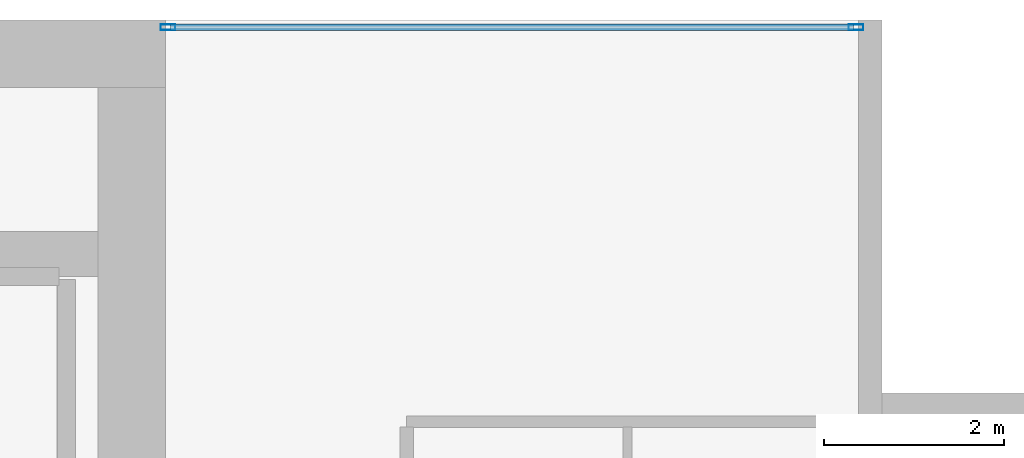
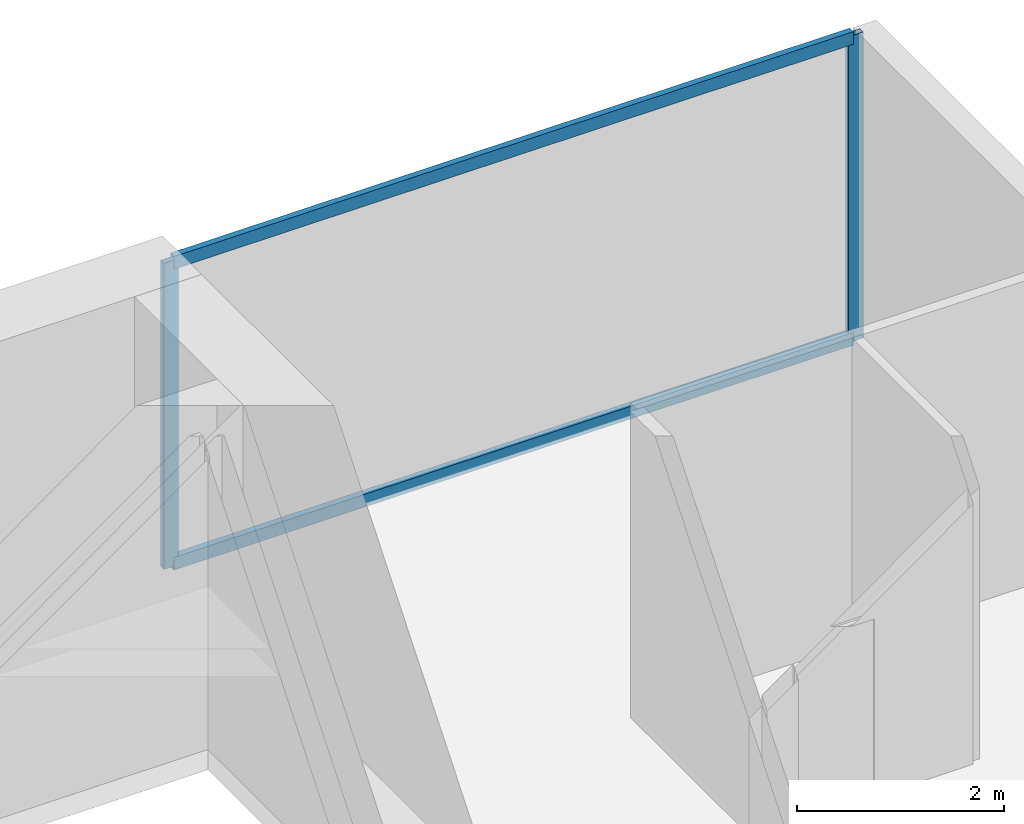
# One storey, part 25 of 32: 4 members, 1 element without a shape of its own.
"""IFC4 building model written with IfcOpenShell, lengths in metres."""

from ifc_helpers import new_model, si_unit, direction, frame, origin, origin_2d, place, context, subcontext, project, spatial, hollow_rectangle, extrude, material, layer, layer_set, material_profile, profile_set, type_object, element, aggregate, save


model = new_model("IFC4")

# Units and contexts
model_context = context("Model", 3, precision=1e-05, world=origin(), true_north=direction((0.0, 1.0)))
body_context = subcontext(model_context, "Body", "Model", "MODEL_VIEW")
ifc_project = project(units=[si_unit("LENGTHUNIT", "METRE"), si_unit("AREAUNIT", "SQUARE_METRE"), si_unit("VOLUMEUNIT", "CUBIC_METRE"), si_unit("PLANEANGLEUNIT", "RADIAN"), si_unit("MASSUNIT", "GRAM", prefix="KILO")], contexts=[model_context])

# Site, building, storey
site_placement = place(None, origin())
site = spatial("IfcSite", under=ifc_project, at=site_placement, CompositionType="ELEMENT")
building_placement = place(site_placement, origin())
building = spatial("IfcBuilding", under=site, at=building_placement, Name="Maruvema Waterfront Hotel and Observation Tower", CompositionType="ELEMENT")
storey_placement = place(building_placement, frame((0.0, 0.0, 162.050048828125)))
storey = spatial("IfcBuildingStorey", under=building, at=storey_placement, Name="L39", CompositionType="ELEMENT", Elevation=162.050048828125)

# Curtain wall, members
ifc_material_1 = material(Name="Anodised bronze aluminium and solar-control low-E IGU", Category="aluminium")
ifc_layer = layer(ifc_material_1, 0.159912109375, Name="Zone 2 Amber Inner Thermal Curtain Wall System CW-03")
ifc_layer_set = layer_set([ifc_layer], Name="Anodised bronze aluminium and solar-control low-E IGU")
curtain_wall_type = type_object("IfcCurtainWallType", Name="Zone 2 Amber Inner Thermal Curtain Wall System CW-03", PredefinedType="USERDEFINED", material=ifc_layer_set)
curtain_wall_placement = place(storey_placement, origin())
curtain_wall = element("IfcCurtainWall", 1, at=curtain_wall_placement, inside=storey, type_object=curtain_wall_type, Name="L39 Curtain Wall CW-L39-NE", ObjectType="UNITISED CURTAIN WALL", PredefinedType="USERDEFINED")
ifc_material_2 = material(Name="Anodised architectural bronze aluminium", Category="aluminium")
ifc_material_profile_1 = material_profile(ifc_material_2, hollow_rectangle(XDim=0.070068359375, YDim=0.14990234375, WallThickness=0.00390625, at=origin_2d()), Name="ALU-T70x150")
ifc_profile_set_1 = profile_set([ifc_material_profile_1], Name="Anodised architectural bronze aluminium")
member_type_1 = type_object("IfcMemberType", Name="Curtain Wall Horizontal Transom ALU-T70x150", PredefinedType="USERDEFINED", material=ifc_profile_set_1)
member_1_placement = place(storey_placement, frame((58.0400390625, 53.919921875, 0.030029296875), z_axis=(-1.0, 0.0, 0.0), x_axis=(0.0, -1.0, 0.0)))
member_1 = element("IfcMember", 2, at=member_1_placement, type_object=member_type_1, Name="CW-03 transom 1.1", ObjectType="TRANSOM", PredefinedType="USERDEFINED", context=body_context, shape_type="SweptSolid", body=[
    extrude(hollow_rectangle(XDim=0.070068359375, YDim=0.14990234375, WallThickness=0.00390625, at=origin_2d()), origin(), (0.0, 0.0, 1.0), 7.580078125),
])
member_2_placement = place(storey_placement, frame((58.0400390625, 53.919921875, 3.579833984375), z_axis=(-1.0, 0.0, 0.0), x_axis=(0.0, -1.0, 0.0)))
member_2 = element("IfcMember", 3, at=member_2_placement, type_object=member_type_1, Name="CW-03 transom 1.2", ObjectType="TRANSOM", PredefinedType="USERDEFINED", context=body_context, shape_type="SweptSolid", body=[
    extrude(hollow_rectangle(XDim=0.070068359375, YDim=0.14990234375, WallThickness=0.00390625, at=origin_2d()), origin(), (0.0, 0.0, 1.0), 7.580078125),
])
ifc_material_3 = material(Name="Anodised architectural bronze aluminium", Category="aluminium")
ifc_material_profile_2 = material_profile(ifc_material_3, hollow_rectangle(XDim=0.06494140625, YDim=0.1650390625, WallThickness=0.00390625, at=origin_2d()), Name="ALU-M65x165")
ifc_profile_set_2 = profile_set([ifc_material_profile_2], Name="Anodised architectural bronze aluminium")
member_type_2 = type_object("IfcMemberType", Name="Curtain Wall Primary Mullion ALU-M65x165", PredefinedType="MULLION", material=ifc_profile_set_2)
member_3_placement = place(storey_placement, frame((58.070068359375, 53.919921875, 0.0), z_axis=(0.0, 0.0, 1.0), x_axis=(0.0, -1.0, 0.0)))
member_3 = element("IfcMember", 4, at=member_3_placement, type_object=member_type_2, Name="CW-03 mullion 1", PredefinedType="MULLION", context=body_context, shape_type="SweptSolid", body=[
    extrude(hollow_rectangle(XDim=0.06494140625, YDim=0.1650390625, WallThickness=0.00390625, at=origin_2d()), origin(), (0.0, 0.0, 1.0), 3.60986328125),
])
member_4_placement = place(storey_placement, frame((50.429931640625, 53.919921875, 0.0), z_axis=(0.0, 0.0, 1.0), x_axis=(0.0, -1.0, 0.0)))
member_4 = element("IfcMember", 5, at=member_4_placement, type_object=member_type_2, Name="CW-03 mullion 2", PredefinedType="MULLION", context=body_context, shape_type="SweptSolid", body=[
    extrude(hollow_rectangle(XDim=0.06494140625, YDim=0.1650390625, WallThickness=0.00390625, at=origin_2d()), origin(), (0.0, 0.0, 1.0), 3.60986328125),
])
aggregate(curtain_wall, [member_3, member_4, member_1, member_2])

save(model, "model.ifc")
